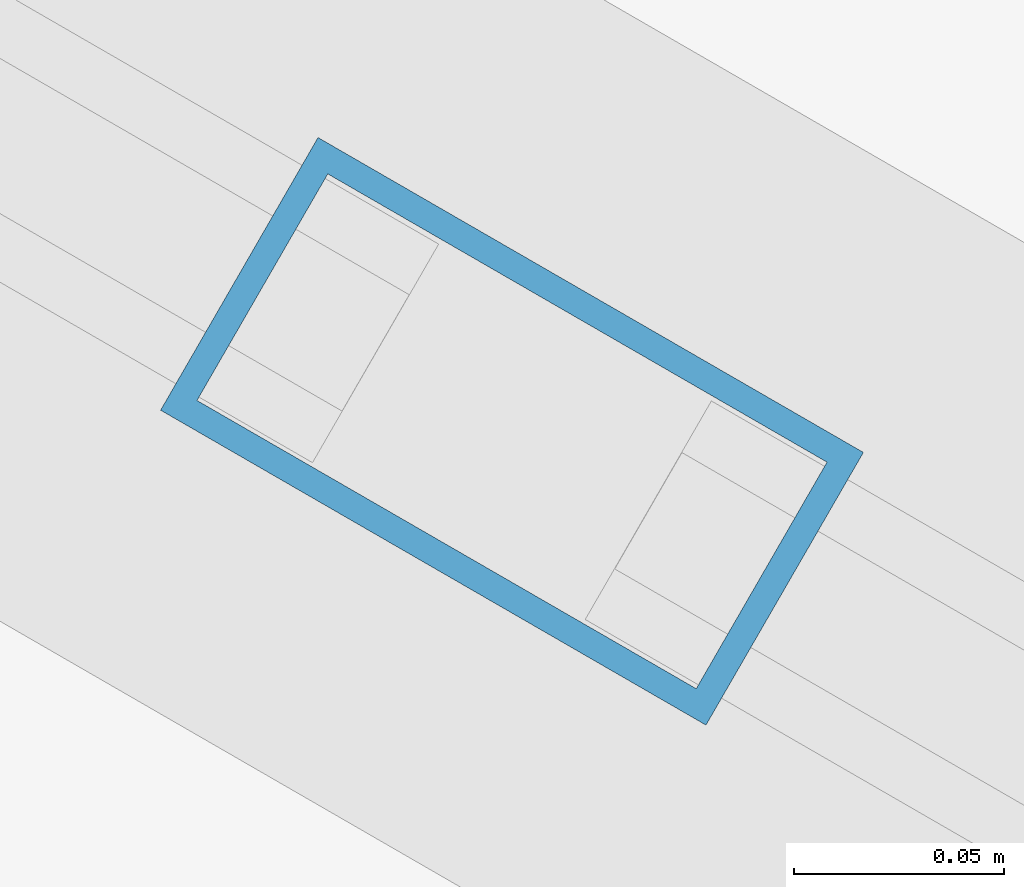
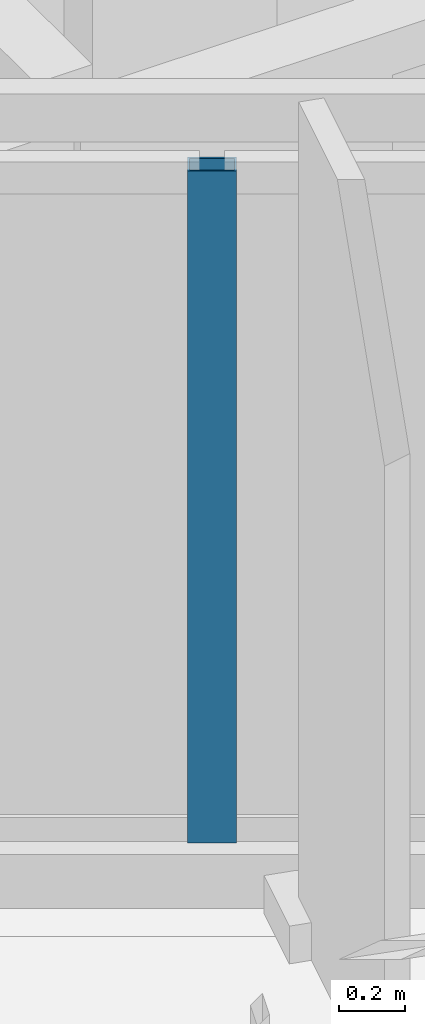
# One storey, part 2 of 18: 1 member, 1 element without a shape of its own.
"""IFC4 building model written with IfcOpenShell, lengths in metres."""

from ifc_helpers import new_model, si_unit, direction, frame, origin, origin_2d, place, context, subcontext, project, spatial, hollow_rectangle, extrude, material, layer, layer_set, material_profile, profile_set, type_object, element, aggregate, save


model = new_model("IFC4")

# Units and contexts
model_context = context("Model", 3, precision=1e-05, world=origin(), true_north=direction((0.0, 1.0)))
body_context = subcontext(model_context, "Body", "Model", "MODEL_VIEW")
ifc_project = project(units=[si_unit("LENGTHUNIT", "METRE"), si_unit("AREAUNIT", "SQUARE_METRE"), si_unit("VOLUMEUNIT", "CUBIC_METRE"), si_unit("PLANEANGLEUNIT", "RADIAN"), si_unit("MASSUNIT", "GRAM", prefix="KILO")], contexts=[model_context])

# Site, building, storey
site_placement = place(None, origin())
site = spatial("IfcSite", under=ifc_project, at=site_placement, CompositionType="ELEMENT")
building_placement = place(site_placement, origin())
building = spatial("IfcBuilding", under=site, at=building_placement, Name="Mersakhor Tower and Convention Hall", CompositionType="ELEMENT")
storey_placement = place(building_placement, frame((0.0, 0.0, 243.0)))
storey = spatial("IfcBuildingStorey", under=building, at=storey_placement, Name="L68", CompositionType="ELEMENT", Elevation=243.0)

# Curtain wall, member
ifc_material_1 = material(Name="Dark solar low-E aluminium curtain wall", Category="aluminium")
ifc_layer = layer(ifc_material_1, 0.179931640625)
ifc_layer_set = layer_set([ifc_layer], Name="Dark solar low-E aluminium curtain wall")
curtain_wall_type = type_object("IfcCurtainWallType", Name="CW-SYS-03", PredefinedType="USERDEFINED", material=ifc_layer_set)
curtain_wall_placement = place(storey_placement, origin())
curtain_wall = element("IfcCurtainWall", 1, at=curtain_wall_placement, inside=storey, type_object=curtain_wall_type, Name="L68 Dark-Glass Curtain Wall F3-B2", ObjectType="CURTAIN WALL", PredefinedType="USERDEFINED")
ifc_material_2 = material(Name="Anodised aluminium EN AW-6063 T6", Category="aluminium")
ifc_material_profile = material_profile(ifc_material_2, hollow_rectangle(XDim=0.074951171875, YDim=0.14990234375, WallThickness=0.00634765625, at=origin_2d()), Name="RHS 150x75x6.3")
ifc_profile_set = profile_set([ifc_material_profile], Name="Anodised aluminium EN AW-6063 T6")
member_type = type_object("IfcMemberType", Name="CWM-150x75", PredefinedType="MULLION", material=ifc_profile_set)
member_placement = place(storey_placement, frame((23.628662109375, 17.446533203125, 0.199951171875), z_axis=(0.0, 0.0, 1.0), x_axis=(-0.500004411169, -0.86602285698, 0.0)))
member = element("IfcMember", 2, at=member_placement, type_object=member_type, Name="CW-03 mullion 2", PredefinedType="MULLION", context=body_context, shape_type="SweptSolid", body=[
    extrude(hollow_rectangle(XDim=0.074951171875, YDim=0.14990234375, WallThickness=0.00634765625, at=origin_2d()), origin(), (0.0, 0.0, 1.0), 2.5),
])
aggregate(curtain_wall, [member])

save(model, "model.ifc")
